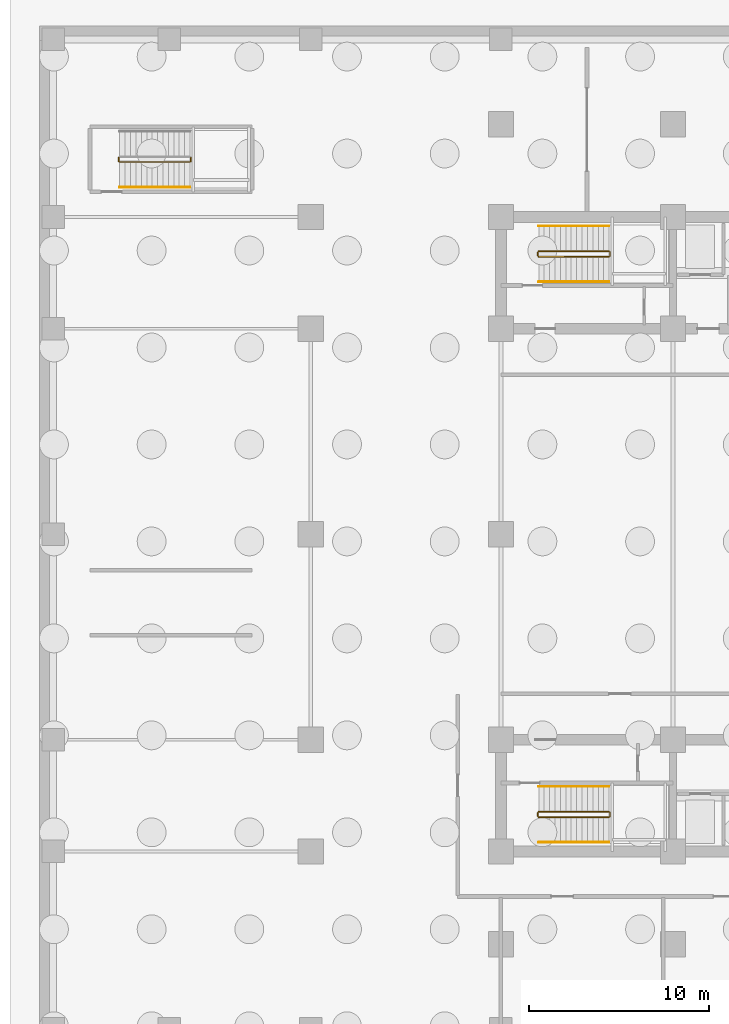
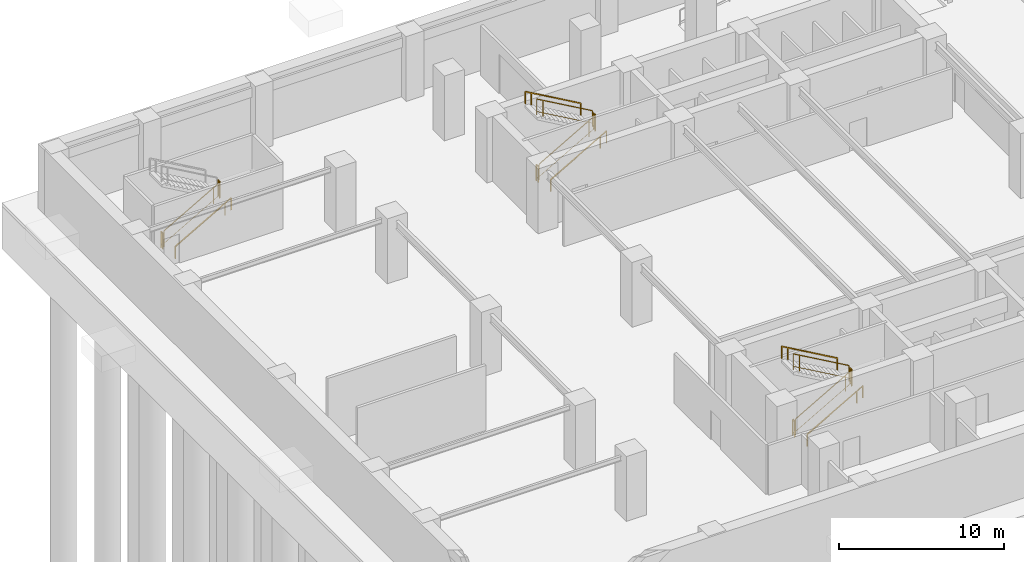
# One storey, part 10 of 13: 16 railings.
"""IFC4 building model written with IfcOpenShell, lengths in metres."""

from ifc_helpers import new_model, si_unit, direction, frame, origin, origin_2d, place, context, subcontext, project, spatial, rectangle, extrude, material, type_object, element, save


model = new_model("IFC4")

# Units and contexts
model_context = context("Model", 3, precision=1e-05, world=origin(), true_north=direction((0.0, 1.0)))
body_context = subcontext(model_context, "Body", "Model", "MODEL_VIEW")
ifc_project = project(units=[si_unit("LENGTHUNIT", "METRE"), si_unit("AREAUNIT", "SQUARE_METRE"), si_unit("VOLUMEUNIT", "CUBIC_METRE"), si_unit("PLANEANGLEUNIT", "RADIAN"), si_unit("MASSUNIT", "GRAM", prefix="KILO")], contexts=[model_context])

# Site, building, storey
site_placement = place(None, origin())
site = spatial("IfcSite", under=ifc_project, at=site_placement, CompositionType="ELEMENT")
building_placement = place(site_placement, origin())
building = spatial("IfcBuilding", under=site, at=building_placement, Name="Svetorya Sky Lyceum", CompositionType="ELEMENT")
storey_placement = place(building_placement, frame((0.0, 0.0, -4.800048828125)))
storey = spatial("IfcBuildingStorey", under=building, at=storey_placement, Name="B01", CompositionType="ELEMENT", Elevation=-4.800048828125)

# Railings
ifc_material_1 = material(Name="Painted galvanized stair well guard")
railing_type_1 = type_object("IfcRailingType", Name="RL-STR-GUARD-1200", PredefinedType="GUARDRAIL", material=ifc_material_1)
railing_1_placement = place(storey_placement, frame((27.699951171875, 12.5, 0.17138671875)))
element("IfcRailing", 1, at=railing_1_placement, inside=storey, type_object=railing_type_1, Name="B01 ST-S stair guard 1", PredefinedType="GUARDRAIL", context=body_context, shape_type="SweptSolid", body=[
    extrude(rectangle(XDim=0.048095703125, YDim=0.048095703125, at=origin_2d()), frame((0.0, 0.0, 1.17578125), z_axis=(0.868233108195, 0.0, 0.496156497321), x_axis=(0.0, 1.0, 0.0)), (0.0, 0.0, 1.0), 4.491943359375),
    extrude(rectangle(XDim=0.02392578125, YDim=0.02392578125, at=origin_2d()), frame((0.0, 0.0, 0.25), z_axis=(0.868233108195, 0.0, 0.496156497321), x_axis=(0.0, 1.0, 0.0)), (0.0, 0.0, 1.0), 4.491943359375),
    extrude(rectangle(XDim=0.0419921875, YDim=0.0419921875, at=origin_2d()), origin(), (0.0, 0.0, 1.0), 1.15185546875),
    extrude(rectangle(XDim=0.0419921875, YDim=0.0419921875, at=origin_2d()), frame((3.472900390625, 0.0, 1.984619140625)), (0.0, 0.0, 1.0), 1.15185546875),
    extrude(rectangle(XDim=0.0419921875, YDim=0.0419921875, at=origin_2d()), frame((3.900146484375, 0.0, 2.228759765625)), (0.0, 0.0, 1.0), 1.15185546875),
])
railing_2_placement = place(storey_placement, frame((31.64990234375, 12.550048828125, 2.400146484375)))
element("IfcRailing", 2, at=railing_2_placement, inside=storey, type_object=railing_type_1, Name="B01 ST-S stair guard 2", PredefinedType="GUARDRAIL", context=body_context, shape_type="SweptSolid", body=[
    extrude(rectangle(XDim=0.048095703125, YDim=0.048095703125, at=origin_2d()), frame((0.0, 0.0, 1.17578125), z_axis=(0.0, 1.0, 0.0), x_axis=(-1.0, 0.0, 0.0)), (0.0, 0.0, 1.0), 0.199951171875),
    extrude(rectangle(XDim=0.02392578125, YDim=0.02392578125, at=origin_2d()), frame((0.0, 0.0, 0.25), z_axis=(0.0, 1.0, 0.0), x_axis=(-1.0, 0.0, 0.0)), (0.0, 0.0, 1.0), 0.199951171875),
    extrude(rectangle(XDim=0.0419921875, YDim=0.0419921875, at=origin_2d()), origin(), (0.0, 0.0, 1.0), 1.15185546875),
    extrude(rectangle(XDim=0.0419921875, YDim=0.0419921875, at=origin_2d()), frame((0.0, 0.199951171875, 0.0)), (0.0, 0.0, 1.0), 1.15185546875),
])
railing_3_placement = place(storey_placement, frame((31.60009765625, 12.800048828125, 2.571533203125)))
element("IfcRailing", 3, at=railing_3_placement, inside=storey, type_object=railing_type_1, Name="B01 ST-S stair guard 3", PredefinedType="GUARDRAIL", context=body_context, shape_type="SweptSolid", body=[
    extrude(rectangle(XDim=0.048095703125, YDim=0.048095703125, at=origin_2d()), frame((0.0, 0.0, 1.17578125), z_axis=(-0.868256520506, 0.0, 0.496115525457), x_axis=(0.0, -1.0, 0.0)), (0.0, 0.0, 1.0), 4.491943359375),
    extrude(rectangle(XDim=0.02392578125, YDim=0.02392578125, at=origin_2d()), frame((0.0, 0.0, 0.25), z_axis=(-0.868256520506, 0.0, 0.496115525457), x_axis=(0.0, -1.0, 0.0)), (0.0, 0.0, 1.0), 4.491943359375),
    extrude(rectangle(XDim=0.0419921875, YDim=0.0419921875, at=origin_2d()), origin(), (0.0, 0.0, 1.0), 1.15185546875),
    extrude(rectangle(XDim=0.0419921875, YDim=0.0419921875, at=origin_2d()), frame((-3.47314453125, 0.0, 1.984375)), (0.0, 0.0, 1.0), 1.15185546875),
    extrude(rectangle(XDim=0.0419921875, YDim=0.0419921875, at=origin_2d()), frame((-3.900146484375, 0.0, 2.228515625)), (0.0, 0.0, 1.0), 1.15185546875),
])
railing_4_placement = place(storey_placement, frame((27.64990234375, 12.550048828125, 0.0)))
element("IfcRailing", 4, at=railing_4_placement, inside=storey, type_object=railing_type_1, Name="B01 ST-S stair guard 4", PredefinedType="GUARDRAIL", context=body_context, shape_type="SweptSolid", body=[
    extrude(rectangle(XDim=0.048095703125, YDim=0.048095703125, at=origin_2d()), frame((0.0, 0.0, 1.17578125), z_axis=(0.0, 1.0, 0.0), x_axis=(-1.0, 0.0, 0.0)), (0.0, 0.0, 1.0), 0.199951171875),
    extrude(rectangle(XDim=0.02392578125, YDim=0.02392578125, at=origin_2d()), frame((0.0, 0.0, 0.25), z_axis=(0.0, 1.0, 0.0), x_axis=(-1.0, 0.0, 0.0)), (0.0, 0.0, 1.0), 0.199951171875),
    extrude(rectangle(XDim=0.0419921875, YDim=0.0419921875, at=origin_2d()), origin(), (0.0, 0.0, 1.0), 1.15185546875),
    extrude(rectangle(XDim=0.0419921875, YDim=0.0419921875, at=origin_2d()), frame((0.0, 0.199951171875, 0.0)), (0.0, 0.0, 1.0), 1.15185546875),
])
railing_5_placement = place(storey_placement, frame((27.699951171875, 43.60009765625, 0.17138671875)))
element("IfcRailing", 5, at=railing_5_placement, inside=storey, type_object=railing_type_1, Name="B01 ST-N stair guard 1", PredefinedType="GUARDRAIL", context=body_context, shape_type="SweptSolid", body=[
    extrude(rectangle(XDim=0.048095703125, YDim=0.048095703125, at=origin_2d()), frame((0.0, 0.0, 1.17578125), z_axis=(0.868233108195, 0.0, 0.496156497321), x_axis=(0.0, 1.0, 0.0)), (0.0, 0.0, 1.0), 4.491943359375),
    extrude(rectangle(XDim=0.02392578125, YDim=0.02392578125, at=origin_2d()), frame((0.0, 0.0, 0.25), z_axis=(0.868233108195, 0.0, 0.496156497321), x_axis=(0.0, 1.0, 0.0)), (0.0, 0.0, 1.0), 4.491943359375),
    extrude(rectangle(XDim=0.0419921875, YDim=0.0419921875, at=origin_2d()), origin(), (0.0, 0.0, 1.0), 1.15185546875),
    extrude(rectangle(XDim=0.0419921875, YDim=0.0419921875, at=origin_2d()), frame((3.472900390625, 0.0, 1.984619140625)), (0.0, 0.0, 1.0), 1.15185546875),
    extrude(rectangle(XDim=0.0419921875, YDim=0.0419921875, at=origin_2d()), frame((3.900146484375, 0.0, 2.228759765625)), (0.0, 0.0, 1.0), 1.15185546875),
])
railing_6_placement = place(storey_placement, frame((31.64990234375, 43.64990234375, 2.400146484375)))
element("IfcRailing", 6, at=railing_6_placement, inside=storey, type_object=railing_type_1, Name="B01 ST-N stair guard 2", PredefinedType="GUARDRAIL", context=body_context, shape_type="SweptSolid", body=[
    extrude(rectangle(XDim=0.048095703125, YDim=0.048095703125, at=origin_2d()), frame((0.0, 0.0, 1.17578125), z_axis=(0.0, 1.0, 0.0), x_axis=(-1.0, 0.0, 0.0)), (0.0, 0.0, 1.0), 0.2001953125),
    extrude(rectangle(XDim=0.02392578125, YDim=0.02392578125, at=origin_2d()), frame((0.0, 0.0, 0.25), z_axis=(0.0, 1.0, 0.0), x_axis=(-1.0, 0.0, 0.0)), (0.0, 0.0, 1.0), 0.2001953125),
    extrude(rectangle(XDim=0.0419921875, YDim=0.0419921875, at=origin_2d()), origin(), (0.0, 0.0, 1.0), 1.15185546875),
    extrude(rectangle(XDim=0.0419921875, YDim=0.0419921875, at=origin_2d()), frame((0.0, 0.2001953125, 0.0)), (0.0, 0.0, 1.0), 1.15185546875),
])
railing_7_placement = place(storey_placement, frame((31.60009765625, 43.89990234375, 2.571533203125)))
element("IfcRailing", 7, at=railing_7_placement, inside=storey, type_object=railing_type_1, Name="B01 ST-N stair guard 3", PredefinedType="GUARDRAIL", context=body_context, shape_type="SweptSolid", body=[
    extrude(rectangle(XDim=0.048095703125, YDim=0.048095703125, at=origin_2d()), frame((0.0, 0.0, 1.17578125), z_axis=(-0.868256520506, 0.0, 0.496115525457), x_axis=(0.0, -1.0, 0.0)), (0.0, 0.0, 1.0), 4.491943359375),
    extrude(rectangle(XDim=0.02392578125, YDim=0.02392578125, at=origin_2d()), frame((0.0, 0.0, 0.25), z_axis=(-0.868256520506, 0.0, 0.496115525457), x_axis=(0.0, -1.0, 0.0)), (0.0, 0.0, 1.0), 4.491943359375),
    extrude(rectangle(XDim=0.0419921875, YDim=0.0419921875, at=origin_2d()), origin(), (0.0, 0.0, 1.0), 1.15185546875),
    extrude(rectangle(XDim=0.0419921875, YDim=0.0419921875, at=origin_2d()), frame((-3.47314453125, 0.0, 1.984375)), (0.0, 0.0, 1.0), 1.15185546875),
    extrude(rectangle(XDim=0.0419921875, YDim=0.0419921875, at=origin_2d()), frame((-3.900146484375, 0.0, 2.228515625)), (0.0, 0.0, 1.0), 1.15185546875),
])
railing_8_placement = place(storey_placement, frame((27.64990234375, 43.64990234375, 0.0)))
element("IfcRailing", 8, at=railing_8_placement, inside=storey, type_object=railing_type_1, Name="B01 ST-N stair guard 4", PredefinedType="GUARDRAIL", context=body_context, shape_type="SweptSolid", body=[
    extrude(rectangle(XDim=0.048095703125, YDim=0.048095703125, at=origin_2d()), frame((0.0, 0.0, 1.17578125), z_axis=(0.0, 1.0, 0.0), x_axis=(-1.0, 0.0, 0.0)), (0.0, 0.0, 1.0), 0.2001953125),
    extrude(rectangle(XDim=0.02392578125, YDim=0.02392578125, at=origin_2d()), frame((0.0, 0.0, 0.25), z_axis=(0.0, 1.0, 0.0), x_axis=(-1.0, 0.0, 0.0)), (0.0, 0.0, 1.0), 0.2001953125),
    extrude(rectangle(XDim=0.0419921875, YDim=0.0419921875, at=origin_2d()), origin(), (0.0, 0.0, 1.0), 1.15185546875),
    extrude(rectangle(XDim=0.0419921875, YDim=0.0419921875, at=origin_2d()), frame((0.0, 0.2001953125, 0.0)), (0.0, 0.0, 1.0), 1.15185546875),
])
railing_9_placement = place(storey_placement, frame((4.449951171875, 48.85009765625, 0.17138671875)))
element("IfcRailing", 9, at=railing_9_placement, inside=storey, type_object=railing_type_1, Name="B01 ST-B1 stair guard 1", PredefinedType="GUARDRAIL", context=body_context, shape_type="SweptSolid", body=[
    extrude(rectangle(XDim=0.048095703125, YDim=0.048095703125, at=origin_2d()), frame((0.0, 0.0, 1.17578125), z_axis=(0.868233108195, 0.0, 0.496156497321), x_axis=(0.0, 1.0, 0.0)), (0.0, 0.0, 1.0), 4.491943359375),
    extrude(rectangle(XDim=0.02392578125, YDim=0.02392578125, at=origin_2d()), frame((0.0, 0.0, 0.25), z_axis=(0.868233108195, 0.0, 0.496156497321), x_axis=(0.0, 1.0, 0.0)), (0.0, 0.0, 1.0), 4.491943359375),
    extrude(rectangle(XDim=0.0419921875, YDim=0.0419921875, at=origin_2d()), origin(), (0.0, 0.0, 1.0), 1.15185546875),
    extrude(rectangle(XDim=0.0419921875, YDim=0.0419921875, at=origin_2d()), frame((3.472900390625, 0.0, 1.984619140625)), (0.0, 0.0, 1.0), 1.15185546875),
    extrude(rectangle(XDim=0.0419921875, YDim=0.0419921875, at=origin_2d()), frame((3.900146484375, 0.0, 2.228759765625)), (0.0, 0.0, 1.0), 1.15185546875),
])
for number, where, name in (
    (10, (8.39990234375, 48.89990234375, 2.400146484375), "B01 ST-B1 stair guard 2"),
    (11, (4.39990234375, 48.89990234375, 0.0), "B01 ST-B1 stair guard 4"),
):
    element("IfcRailing", number, at=place(storey_placement, frame(where)), inside=storey, type_object=railing_type_1, Name=name, PredefinedType="GUARDRAIL", context=body_context, shape_type="SweptSolid", body=[
        extrude(rectangle(XDim=0.048095703125, YDim=0.048095703125, at=origin_2d()), frame((0.0, 0.0, 1.17578125), z_axis=(0.0, 1.0, 0.0), x_axis=(-1.0, 0.0, 0.0)), (0.0, 0.0, 1.0), 0.2001953125),
        extrude(rectangle(XDim=0.02392578125, YDim=0.02392578125, at=origin_2d()), frame((0.0, 0.0, 0.25), z_axis=(0.0, 1.0, 0.0), x_axis=(-1.0, 0.0, 0.0)), (0.0, 0.0, 1.0), 0.2001953125),
        extrude(rectangle(XDim=0.0419921875, YDim=0.0419921875, at=origin_2d()), origin(), (0.0, 0.0, 1.0), 1.15185546875),
        extrude(rectangle(XDim=0.0419921875, YDim=0.0419921875, at=origin_2d()), frame((0.0, 0.2001953125, 0.0)), (0.0, 0.0, 1.0), 1.15185546875),
    ])
ifc_material_2 = material(Name="Brushed stainless AISI 304 stair handrail")
railing_type_2 = type_object("IfcRailingType", Name="RL-STR-HAND-920", PredefinedType="HANDRAIL", material=ifc_material_2)
railing_10_placement = place(storey_placement, frame((27.699951171875, 11.10009765625, 0.17138671875)))
element("IfcRailing", 12, at=railing_10_placement, inside=storey, type_object=railing_type_2, Name="B01 ST-S stair handrail 1", PredefinedType="HANDRAIL", context=body_context, shape_type="SweptSolid", body=[
    extrude(rectangle(XDim=0.048095703125, YDim=0.048095703125, at=origin_2d()), frame((0.0, 0.0, 0.8759765625), z_axis=(0.868233108195, 0.0, 0.496156497321), x_axis=(0.0, 1.0, 0.0)), (0.0, 0.0, 1.0), 4.491943359375),
    extrude(rectangle(XDim=0.0419921875, YDim=0.0419921875, at=origin_2d()), origin(), (0.0, 0.0, 1.0), 0.851806640625),
    extrude(rectangle(XDim=0.0419921875, YDim=0.0419921875, at=origin_2d()), frame((3.472900390625, 0.0, 1.984619140625)), (0.0, 0.0, 1.0), 0.851806640625),
    extrude(rectangle(XDim=0.0419921875, YDim=0.0419921875, at=origin_2d()), frame((3.900146484375, 0.0, 2.228759765625)), (0.0, 0.0, 1.0), 0.851806640625),
])
railing_11_placement = place(storey_placement, frame((31.60009765625, 14.199951171875, 2.571533203125)))
element("IfcRailing", 13, at=railing_11_placement, inside=storey, type_object=railing_type_2, Name="B01 ST-S stair handrail 2", PredefinedType="HANDRAIL", context=body_context, shape_type="SweptSolid", body=[
    extrude(rectangle(XDim=0.048095703125, YDim=0.048095703125, at=origin_2d()), frame((0.0, 0.0, 0.8759765625), z_axis=(-0.868256520506, 0.0, 0.496115525457), x_axis=(0.0, -1.0, 0.0)), (0.0, 0.0, 1.0), 4.491943359375),
    extrude(rectangle(XDim=0.0419921875, YDim=0.0419921875, at=origin_2d()), origin(), (0.0, 0.0, 1.0), 0.851806640625),
    extrude(rectangle(XDim=0.0419921875, YDim=0.0419921875, at=origin_2d()), frame((-3.47314453125, 0.0, 1.984375)), (0.0, 0.0, 1.0), 0.851806640625),
    extrude(rectangle(XDim=0.0419921875, YDim=0.0419921875, at=origin_2d()), frame((-3.900146484375, 0.0, 2.228515625)), (0.0, 0.0, 1.0), 0.851806640625),
])
railing_12_placement = place(storey_placement, frame((27.699951171875, 42.199951171875, 0.17138671875)))
element("IfcRailing", 14, at=railing_12_placement, inside=storey, type_object=railing_type_2, Name="B01 ST-N stair handrail 1", PredefinedType="HANDRAIL", context=body_context, shape_type="SweptSolid", body=[
    extrude(rectangle(XDim=0.048095703125, YDim=0.048095703125, at=origin_2d()), frame((0.0, 0.0, 0.8759765625), z_axis=(0.868233108195, 0.0, 0.496156497321), x_axis=(0.0, 1.0, 0.0)), (0.0, 0.0, 1.0), 4.491943359375),
    extrude(rectangle(XDim=0.0419921875, YDim=0.0419921875, at=origin_2d()), origin(), (0.0, 0.0, 1.0), 0.851806640625),
    extrude(rectangle(XDim=0.0419921875, YDim=0.0419921875, at=origin_2d()), frame((3.472900390625, 0.0, 1.984619140625)), (0.0, 0.0, 1.0), 0.851806640625),
    extrude(rectangle(XDim=0.0419921875, YDim=0.0419921875, at=origin_2d()), frame((3.900146484375, 0.0, 2.228759765625)), (0.0, 0.0, 1.0), 0.851806640625),
])
railing_13_placement = place(storey_placement, frame((31.60009765625, 45.300048828125, 2.571533203125)))
element("IfcRailing", 15, at=railing_13_placement, inside=storey, type_object=railing_type_2, Name="B01 ST-N stair handrail 2", PredefinedType="HANDRAIL", context=body_context, shape_type="SweptSolid", body=[
    extrude(rectangle(XDim=0.048095703125, YDim=0.048095703125, at=origin_2d()), frame((0.0, 0.0, 0.8759765625), z_axis=(-0.868256520506, 0.0, 0.496115525457), x_axis=(0.0, -1.0, 0.0)), (0.0, 0.0, 1.0), 4.491943359375),
    extrude(rectangle(XDim=0.0419921875, YDim=0.0419921875, at=origin_2d()), origin(), (0.0, 0.0, 1.0), 0.851806640625),
    extrude(rectangle(XDim=0.0419921875, YDim=0.0419921875, at=origin_2d()), frame((-3.47314453125, 0.0, 1.984375)), (0.0, 0.0, 1.0), 0.851806640625),
    extrude(rectangle(XDim=0.0419921875, YDim=0.0419921875, at=origin_2d()), frame((-3.900146484375, 0.0, 2.228515625)), (0.0, 0.0, 1.0), 0.851806640625),
])
railing_14_placement = place(storey_placement, frame((4.449951171875, 47.449951171875, 0.17138671875)))
element("IfcRailing", 16, at=railing_14_placement, inside=storey, type_object=railing_type_2, Name="B01 ST-B1 stair handrail 1", PredefinedType="HANDRAIL", context=body_context, shape_type="SweptSolid", body=[
    extrude(rectangle(XDim=0.048095703125, YDim=0.048095703125, at=origin_2d()), frame((0.0, 0.0, 0.8759765625), z_axis=(0.868233108195, 0.0, 0.496156497321), x_axis=(0.0, 1.0, 0.0)), (0.0, 0.0, 1.0), 4.491943359375),
    extrude(rectangle(XDim=0.0419921875, YDim=0.0419921875, at=origin_2d()), origin(), (0.0, 0.0, 1.0), 0.851806640625),
    extrude(rectangle(XDim=0.0419921875, YDim=0.0419921875, at=origin_2d()), frame((3.472900390625, 0.0, 1.984619140625)), (0.0, 0.0, 1.0), 0.851806640625),
    extrude(rectangle(XDim=0.0419921875, YDim=0.0419921875, at=origin_2d()), frame((3.900146484375, 0.0, 2.228759765625)), (0.0, 0.0, 1.0), 0.851806640625),
])

save(model, "model.ifc")
